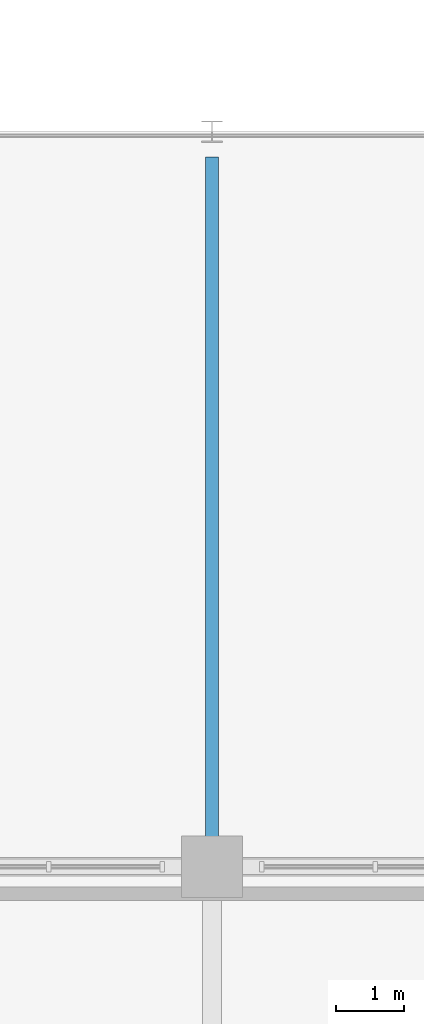
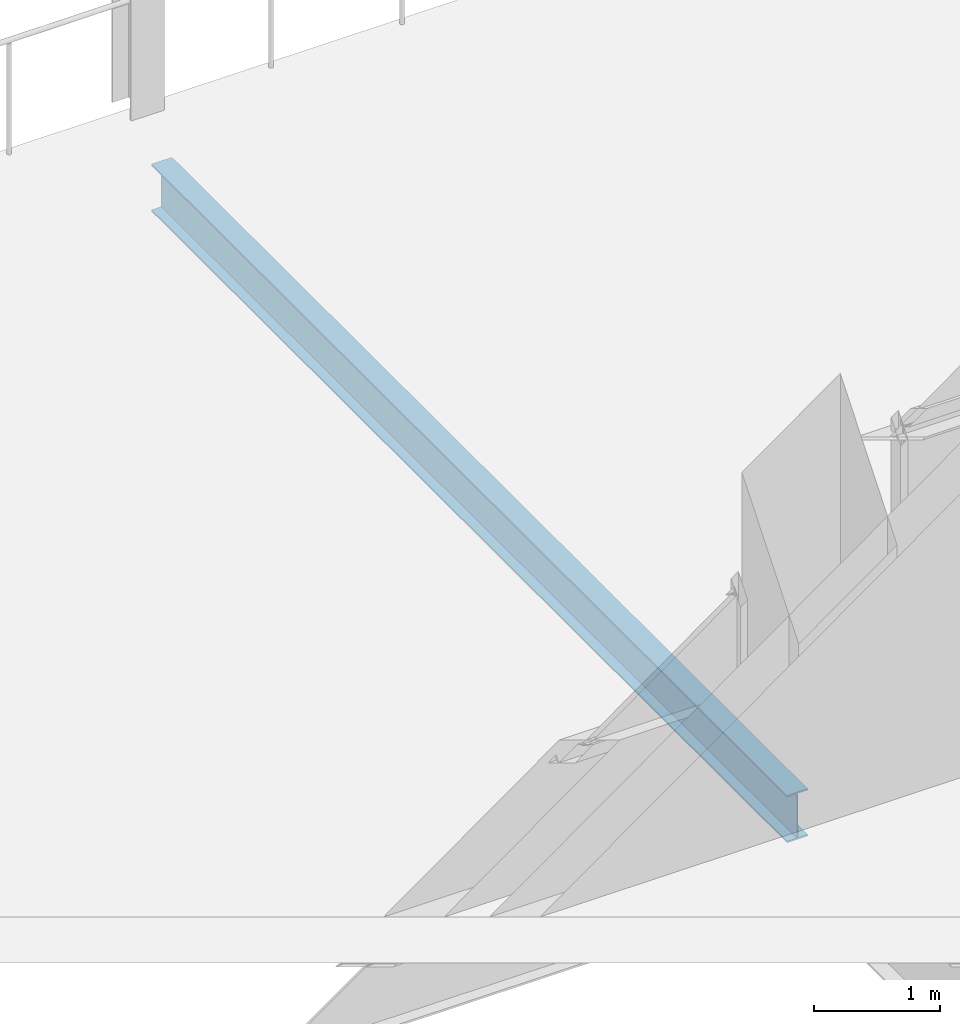
# One storey, part 15 of 92: 1 beam.
"""IFC4 building model written with IfcOpenShell, lengths in metres."""

from ifc_helpers import new_model, si_unit, direction, frame, origin, origin_2d, place, context, subcontext, project, spatial, i_section, extrude, material, material_profile, profile_set, type_object, element, save


model = new_model("IFC4")

# Units and contexts
model_context = context("Model", 3, precision=1e-05, world=origin(), true_north=direction((0.0, 1.0)))
body_context = subcontext(model_context, "Body", "Model", "MODEL_VIEW")
ifc_project = project(units=[si_unit("LENGTHUNIT", "METRE"), si_unit("AREAUNIT", "SQUARE_METRE"), si_unit("VOLUMEUNIT", "CUBIC_METRE"), si_unit("PLANEANGLEUNIT", "RADIAN"), si_unit("MASSUNIT", "GRAM", prefix="KILO")], contexts=[model_context])

# Site, building, storey
site_placement = place(None, origin())
site = spatial("IfcSite", under=ifc_project, at=site_placement, CompositionType="ELEMENT")
building_placement = place(site_placement, origin())
building = spatial("IfcBuilding", under=site, at=building_placement, Name="Solanera Park Tramway Depot", CompositionType="ELEMENT")
storey_placement = place(building_placement, frame((0.0, 0.0, 4.800048828125)))
storey = spatial("IfcBuildingStorey", under=building, at=storey_placement, Name="L01", CompositionType="ELEMENT", Elevation=4.800048828125)

# Beam
ifc_material = material(Name="Steel AS/NZS 3679.1 Grade 350", Category="steel")
ifc_material_profile = material_profile(ifc_material, i_section(OverallWidth=0.1904296875, OverallDepth=0.45751953125, WebThickness=0.009033203125, FlangeThickness=0.014404296875, at=origin_2d()), Name="460UB74.6")
ifc_profile_set = profile_set([ifc_material_profile], Name="Steel AS/NZS 3679.1 Grade 350")
beam_type = type_object("IfcBeamType", Name="Steel Beam 460UB74.6", PredefinedType="BEAM", material=ifc_profile_set)
beam_placement = place(storey_placement, frame((60.0, 32.75, -0.53271484375), z_axis=(0.0, 1.0, 0.0), x_axis=(-1.0, 0.0, 0.0)))
element("IfcBeam", 1, at=beam_placement, inside=storey, type_object=beam_type, Name="L01 Primary Y-Girder 460UB74.6 #0047", PredefinedType="BEAM", context=body_context, shape_type="SweptSolid", body=[
    extrude(i_section(OverallWidth=0.1904296875, OverallDepth=0.45751953125, WebThickness=0.009033203125, FlangeThickness=0.014404296875, at=origin_2d()), origin(), (0.0, 0.0, 1.0), 10.074951171875),
])

save(model, "model.ifc")
